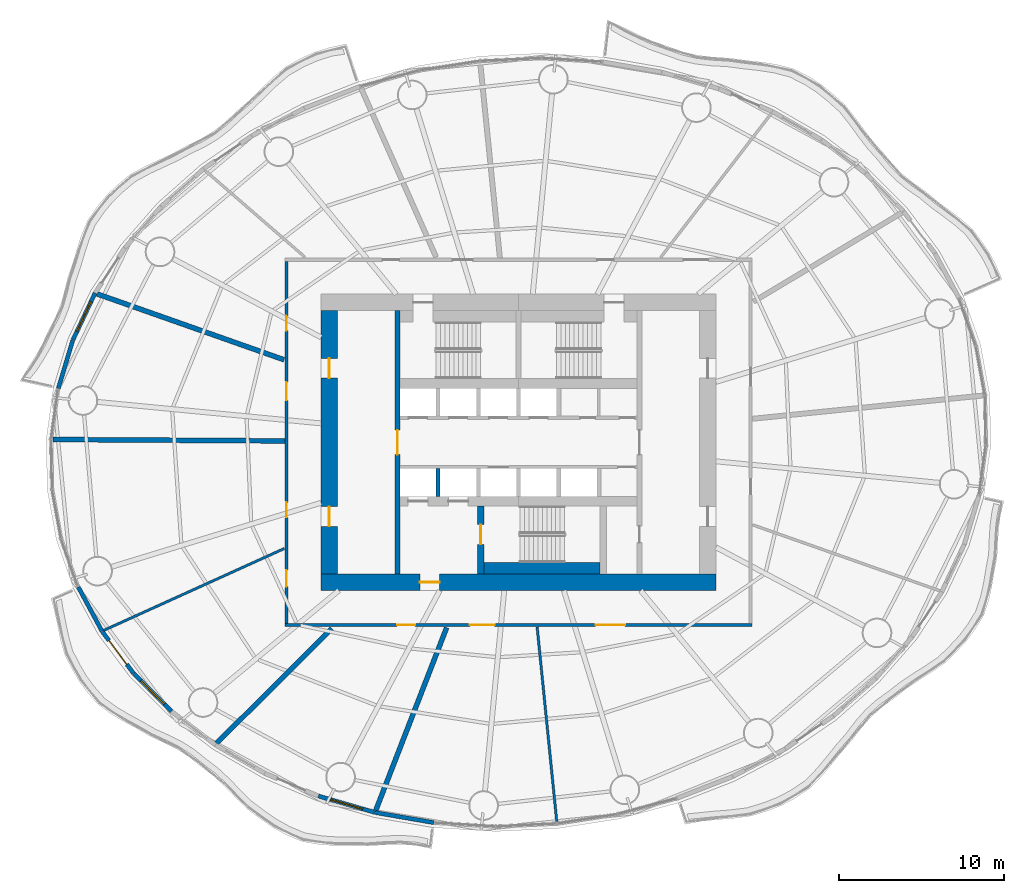
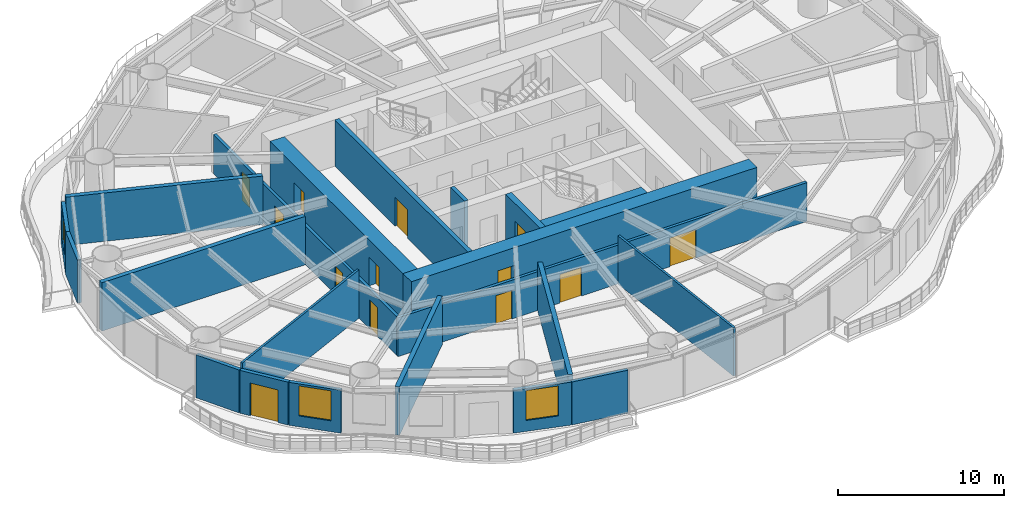
# One storey, part 8 of 16: 21 walls, 13 doors, 3 windows, 16 openings.
"""IFC4 building model written with IfcOpenShell, lengths in metres."""

from ifc_helpers import new_model, si_unit, direction, frame, frame_2d, origin, place, context, subcontext, project, spatial, rectangle, extrude, material, layer, layer_set, type_object, element, fill, save


model = new_model("IFC4")

# Units and contexts
model_context = context("Model", 3, precision=1e-05, world=origin(), true_north=direction((0.0, 1.0)))
body_context = subcontext(model_context, "Body", "Model", "MODEL_VIEW")
ifc_project = project(units=[si_unit("LENGTHUNIT", "METRE"), si_unit("AREAUNIT", "SQUARE_METRE"), si_unit("VOLUMEUNIT", "CUBIC_METRE"), si_unit("PLANEANGLEUNIT", "RADIAN"), si_unit("MASSUNIT", "GRAM", prefix="KILO")], contexts=[model_context])

# Site, building, storey
site_placement = place(None, origin())
site = spatial("IfcSite", under=ifc_project, at=site_placement, CompositionType="ELEMENT")
building_placement = place(site_placement, origin())
building = spatial("IfcBuilding", under=site, at=building_placement, Name="Vermilion Reach Broadcast Tower", CompositionType="ELEMENT")
storey_placement = place(building_placement, frame((0.0, 0.0, 58.199951171875)))
storey = spatial("IfcBuildingStorey", under=building, at=storey_placement, Name="L11", CompositionType="ELEMENT", Elevation=58.199951171875)

# Wall, opening, door
ifc_material_1 = material(Name="Concrete C70", Category="concrete")
ifc_layer_1 = layer(ifc_material_1, 0.300048828125)
ifc_layer_set_1 = layer_set([ifc_layer_1], Name="Core inner wall 300 mm Concrete C70")
wall_type_1 = type_object("IfcWallType", Name="Core inner wall 300 mm Concrete C70", PredefinedType="SHEAR", material=ifc_layer_set_1)
wall_1_placement = place(storey_placement, frame((-13.35009765625, 8.0, 0.0), z_axis=(0.0, 0.0, 1.0), x_axis=(0.0, -1.0, 0.0)))
wall_1 = element("IfcWall", 1, at=wall_1_placement, inside=storey, type_object=wall_type_1, Name="L11 core wall ewW", PredefinedType="SHEAR", context=body_context, shape_type="SweptSolid", body=[
    extrude(rectangle(XDim=16.0, YDim=0.300048828125, at=frame_2d((8.0, 0.0))), origin(), (0.0, 0.0, 1.0), 3.400146484375),
])
opening_1_placement = place(wall_1_placement, frame((7.25, 0.0, 0.0)))
opening_1 = element("IfcOpeningElement", 2, at=opening_1_placement, cuts=wall_1, Name="Opening D04", PredefinedType="OPENING", context=body_context, shape_type="SweptSolid", body=[
    extrude(rectangle(XDim=1.5, YDim=2.10009765625, at=frame_2d((0.75, 1.050048828125))), frame((0.0, 0.159912109375, 0.0), z_axis=(0.0, -1.0, 0.0), x_axis=(1.0, 0.0, 0.0)), (0.0, 0.0, 1.0), 0.320068359375),
])
ifc_material_2 = material(Name="Painted steel fire door", Category="steel")
door_type_1 = type_object("IfcDoorType", Name="Lift lobby door 1500 x 2100", OperationType="DOUBLE_DOOR_SINGLE_SWING", PredefinedType="NOTDEFINED", material=ifc_material_2)
door_1_placement = place(opening_1_placement, origin())
door_1 = element("IfcDoor", 3, at=door_1_placement, inside=storey, type_object=door_type_1, Name="L11 band door BW", OperationType="DOUBLE_DOOR_SINGLE_SWING", OverallHeight=2.10009765625, OverallWidth=1.5, PredefinedType="NOTDEFINED", context=body_context, shape_type="SweptSolid", body=[
    extrude(rectangle(XDim=1.5, YDim=2.10009765625, at=frame_2d((0.75, 1.050048828125))), frame((0.0, 0.02490234375, 0.0), z_axis=(0.0, -1.0, 0.0), x_axis=(1.0, 0.0, 0.0)), (0.0, 0.0, 1.0), 0.050048828125),
])
fill(opening_1, door_1)

ifc_material_3 = material(Name="Concrete C70", Category="concrete")
ifc_layer_2 = layer(ifc_material_3, 0.39990234375)
ifc_layer_set_2 = layer_set([ifc_layer_2], Name="Core inner wall 400 mm Concrete C70")
wall_type_2 = type_object("IfcWallType", Name="Core inner wall 400 mm Concrete C70", PredefinedType="SHEAR", material=ifc_layer_set_2)
wall_2_placement = place(storey_placement, frame((-8.300048828125, -3.8798828125, 0.0), z_axis=(0.0, 0.0, 1.0), x_axis=(0.0, -1.0, 0.0)))
wall_2 = element("IfcWall", 4, at=wall_2_placement, inside=storey, type_object=wall_type_2, Name="L11 core wall wa", PredefinedType="SHEAR", context=body_context, shape_type="SweptSolid", body=[
    extrude(rectangle(XDim=4.1201171875, YDim=0.39990234375, at=frame_2d((2.06005859375, 0.0))), origin(), (0.0, 0.0, 1.0), 3.400146484375),
])
opening_2_placement = place(wall_2_placement, frame((1.110107421875, 0.0, 0.0)))
opening_2 = element("IfcOpeningElement", 5, at=opening_2_placement, cuts=wall_2, Name="Opening D01", PredefinedType="OPENING", context=body_context, shape_type="SweptSolid", body=[
    extrude(rectangle(XDim=1.199951171875, YDim=2.10009765625, at=frame_2d((0.60009765625, 1.050048828125))), frame((0.0, 0.2099609375, 0.0), z_axis=(0.0, -1.0, 0.0), x_axis=(1.0, 0.0, 0.0)), (0.0, 0.0, 1.0), 0.419921875),
])
ifc_material_4 = material(Name="Painted steel fire door", Category="steel")
door_type_2 = type_object("IfcDoorType", Name="Stair door 1200 x 2100", OperationType="DOUBLE_DOOR_SINGLE_SWING", PredefinedType="NOTDEFINED", material=ifc_material_4)
door_2_placement = place(opening_2_placement, origin())
door_2 = element("IfcDoor", 6, at=door_2_placement, inside=storey, type_object=door_type_2, Name="L11 stair door ST3", OperationType="DOUBLE_DOOR_SINGLE_SWING", OverallHeight=2.10009765625, OverallWidth=1.199951171875, PredefinedType="NOTDEFINED", context=body_context, shape_type="SweptSolid", body=[
    extrude(rectangle(XDim=1.199951171875, YDim=2.10009765625, at=frame_2d((0.60009765625, 1.050048828125))), frame((0.0, 0.02490234375, 0.0), z_axis=(0.0, -1.0, 0.0), x_axis=(1.0, 0.0, 0.0)), (0.0, 0.0, 1.0), 0.050048828125),
])
fill(opening_2, door_2)

ifc_material_5 = material(Name="Concrete C70", Category="concrete")
ifc_layer_3 = layer(ifc_material_5, 1.0)
ifc_layer_set_3 = layer_set([ifc_layer_3], Name="Core outer wall 1000 mm Concrete C70")
wall_type_3 = type_object("IfcWallType", Name="Core outer wall 1000 mm Concrete C70", PredefinedType="SHEAR", material=ifc_layer_set_3)
wall_3_placement = place(storey_placement, frame((-18.0, -8.5, 0.0), z_axis=(0.0, 0.0, 1.0), x_axis=(1.0, 0.0, 0.0)))
wall_3 = element("IfcWall", 7, at=wall_3_placement, inside=storey, type_object=wall_type_3, Name="L11 core wall os", PredefinedType="SHEAR", context=body_context, shape_type="SweptSolid", body=[
    extrude(rectangle(XDim=24.0, YDim=1.0, at=frame_2d((12.0, 0.0))), origin(), (0.0, 0.0, 1.0), 3.400146484375),
])
opening_3_placement = place(wall_3_placement, frame((6.0, 0.0, 0.0)))
opening_3 = element("IfcOpeningElement", 8, at=opening_3_placement, cuts=wall_3, Name="Opening D02", PredefinedType="OPENING", context=body_context, shape_type="SweptSolid", body=[
    extrude(rectangle(XDim=1.199951171875, YDim=2.10009765625, at=frame_2d((0.60009765625, 1.050048828125))), frame((0.0, 0.510009765625, 0.0), z_axis=(0.0, -1.0, 0.0), x_axis=(1.0, 0.0, 0.0)), (0.0, 0.0, 1.0), 1.02001953125),
])
ifc_material_6 = material(Name="Painted steel fire door", Category="steel")
door_type_3 = type_object("IfcDoorType", Name="Firefighting lobby door 1200 x 2100", OperationType="DOUBLE_DOOR_SINGLE_SWING", PredefinedType="NOTDEFINED", material=ifc_material_6)
door_3_placement = place(opening_3_placement, origin())
door_3 = element("IfcDoor", 9, at=door_3_placement, inside=storey, type_object=door_type_3, Name="L11 ffdoor door FFL", OperationType="DOUBLE_DOOR_SINGLE_SWING", OverallHeight=2.10009765625, OverallWidth=1.199951171875, PredefinedType="NOTDEFINED", context=body_context, shape_type="SweptSolid", body=[
    extrude(rectangle(XDim=1.199951171875, YDim=2.10009765625, at=frame_2d((0.60009765625, 1.050048828125))), frame((0.0, 0.02490234375, 0.0), z_axis=(0.0, -1.0, 0.0), x_axis=(1.0, 0.0, 0.0)), (0.0, 0.0, 1.0), 0.050048828125),
])
fill(opening_3, door_3)

# Wall, openings, doors
wall_4_placement = place(storey_placement, frame((-17.5, 8.0, 0.0), z_axis=(0.0, 0.0, 1.0), x_axis=(0.0, -1.0, 0.0)))
wall_4 = element("IfcWall", 10, at=wall_4_placement, inside=storey, type_object=wall_type_3, Name="L11 core wall ow", PredefinedType="SHEAR", context=body_context, shape_type="SweptSolid", body=[
    extrude(rectangle(XDim=16.0, YDim=1.0, at=frame_2d((8.0, 0.0))), origin(), (0.0, 0.0, 1.0), 3.400146484375),
])
opening_4_placement = place(wall_4_placement, frame((11.89990234375, 0.0, 0.0)))
opening_4 = element("IfcOpeningElement", 11, at=opening_4_placement, cuts=wall_4, Name="Opening D03", PredefinedType="OPENING", context=body_context, shape_type="SweptSolid", body=[
    extrude(rectangle(XDim=1.199951171875, YDim=2.10009765625, at=frame_2d((0.60009765625, 1.050048828125))), frame((0.0, 0.510009765625, 0.0), z_axis=(0.0, -1.0, 0.0), x_axis=(1.0, 0.0, 0.0)), (0.0, 0.0, 1.0), 1.02001953125),
])
opening_5_placement = place(wall_4_placement, frame((2.89990234375, 0.0, 0.0)))
opening_5 = element("IfcOpeningElement", 12, at=opening_5_placement, cuts=wall_4, Name="Opening D03", PredefinedType="OPENING", context=body_context, shape_type="SweptSolid", body=[
    extrude(rectangle(XDim=1.199951171875, YDim=2.10009765625, at=frame_2d((0.60009765625, 1.050048828125))), frame((0.0, 0.510009765625, 0.0), z_axis=(0.0, -1.0, 0.0), x_axis=(1.0, 0.0, 0.0)), (0.0, 0.0, 1.0), 1.02001953125),
])
ifc_material_7 = material(Name="Painted steel fire door", Category="steel")
door_type_4 = type_object("IfcDoorType", Name="Core lobby door 1200 x 2100", OperationType="DOUBLE_DOOR_SINGLE_SWING", PredefinedType="NOTDEFINED", material=ifc_material_7)
door_4_placement = place(opening_4_placement, origin())
door_4 = element("IfcDoor", 13, at=door_4_placement, inside=storey, type_object=door_type_4, Name="L11 slot door W0", OperationType="DOUBLE_DOOR_SINGLE_SWING", OverallHeight=2.10009765625, OverallWidth=1.199951171875, PredefinedType="NOTDEFINED", context=body_context, shape_type="SweptSolid", body=[
    extrude(rectangle(XDim=1.199951171875, YDim=2.10009765625, at=frame_2d((0.60009765625, 1.050048828125))), frame((0.0, 0.02490234375, 0.0), z_axis=(0.0, -1.0, 0.0), x_axis=(1.0, 0.0, 0.0)), (0.0, 0.0, 1.0), 0.050048828125),
])
fill(opening_4, door_4)
door_5_placement = place(opening_5_placement, origin())
door_5 = element("IfcDoor", 14, at=door_5_placement, inside=storey, type_object=door_type_4, Name="L11 slot door W1", OperationType="DOUBLE_DOOR_SINGLE_SWING", OverallHeight=2.10009765625, OverallWidth=1.199951171875, PredefinedType="NOTDEFINED", context=body_context, shape_type="SweptSolid", body=[
    extrude(rectangle(XDim=1.199951171875, YDim=2.10009765625, at=frame_2d((0.60009765625, 1.050048828125))), frame((0.0, 0.02490234375, 0.0), z_axis=(0.0, -1.0, 0.0), x_axis=(1.0, 0.0, 0.0)), (0.0, 0.0, 1.0), 0.050048828125),
])
fill(opening_5, door_5)

# Walls
ifc_material_8 = material(Name="Concrete C50", Category="concrete")
ifc_layer_4 = layer(ifc_material_8, 0.25)
ifc_layer_set_4 = layer_set([ifc_layer_4], Name="Core shaft wall 250 mm Concrete C50")
wall_type_4 = type_object("IfcWallType", Name="Core shaft wall 250 mm Concrete C50", PredefinedType="SHEAR", material=ifc_layer_set_4)
wall_5_placement = place(storey_placement, frame((-10.88330078125, -1.60009765625, 0.0), z_axis=(0.0, 0.0, 1.0), x_axis=(0.0, -1.0, 0.0)))
element("IfcWall", 15, at=wall_5_placement, inside=storey, type_object=wall_type_4, Name="L11 core wall psS0", PredefinedType="SHEAR", context=body_context, shape_type="SweptSolid", body=[
    extrude(rectangle(XDim=1.679931640625, YDim=0.25, at=frame_2d((0.83984375, 0.0))), origin(), (0.0, 0.0, 1.0), 3.400146484375),
])
ifc_material_9 = material(Name="Concrete C70", Category="concrete")
ifc_layer_5 = layer(ifc_material_9, 0.699951171875)
ifc_layer_set_5 = layer_set([ifc_layer_5], Name="Core stair wall 700 mm Concrete C70")
wall_type_5 = type_object("IfcWallType", Name="Core stair wall 700 mm Concrete C70", PredefinedType="SHEAR", material=ifc_layer_set_5)
wall_6_placement = place(storey_placement, frame((-8.10009765625, -7.64990234375, 0.0), z_axis=(0.0, 0.0, 1.0), x_axis=(1.0, 0.0, 0.0)))
element("IfcWall", 16, at=wall_6_placement, inside=storey, type_object=wall_type_5, Name="L11 core wall l3", PredefinedType="SHEAR", context=body_context, shape_type="SweptSolid", body=[
    extrude(rectangle(XDim=7.050048828125, YDim=0.699951171875, at=frame_2d((3.52490234375, 0.0))), origin(), (0.0, 0.0, 1.0), 3.400146484375),
])
ifc_material_10 = material(Name="Lightweight concrete block, plastered", Category="concrete")
ifc_layer_6 = layer(ifc_material_10, 0.14990234375)
ifc_layer_set_6 = layer_set([ifc_layer_6], Name="Partition 150 lightweight block")
wall_type_6 = type_object("IfcWallType", Name="Partition 150 lightweight block", PredefinedType="PARTITIONING", material=ifc_layer_set_6)
wall_7_placement = place(storey_placement, frame((-31.1904296875, -11.4189453125, 0.0), z_axis=(0.0, 0.0, 1.0), x_axis=(0.91079054679, 0.412868719907, 0.0)))
element("IfcWall", 17, at=wall_7_placement, inside=storey, type_object=wall_type_6, Name="Partition 11.09", PredefinedType="PARTITIONING", context=body_context, shape_type="SweptSolid", body=[
    extrude(rectangle(XDim=12.032958984375, YDim=0.14990234375, at=frame_2d((6.0166015625, 0.0))), origin(), (0.0, 0.0, 1.0), 3.550048828125),
])
wall_8_placement = place(storey_placement, frame((-3.67578125, -23.041015625, 0.0), z_axis=(0.0, 0.0, 1.0), x_axis=(-0.100357287096, 0.994951463603, 0.0)))
element("IfcWall", 18, at=wall_8_placement, inside=storey, type_object=wall_type_6, Name="Partition 11.12", PredefinedType="PARTITIONING", context=body_context, shape_type="SweptSolid", body=[
    extrude(rectangle(XDim=11.8935546875, YDim=0.14990234375, at=frame_2d((5.94677734375, 0.0))), origin(), (0.0, 0.0, 1.0), 3.550048828125),
])
ifc_material_11 = material(Name="Double-leaf plasterboard on isolated steel stud", Category="steel")
ifc_layer_7 = layer(ifc_material_11, 0.300048828125)
ifc_layer_set_7 = layer_set([ifc_layer_7], Name="Partition 300 acoustic double leaf")
wall_type_7 = type_object("IfcWallType", Name="Partition 300 acoustic double leaf", PredefinedType="PARTITIONING", material=ifc_layer_set_7)
wall_9_placement = place(storey_placement, frame((-31.61083984375, 9.02197265625, 0.0), z_axis=(0.0, 0.0, 1.0), x_axis=(0.943188110721, -0.332259217773, 0.0)))
element("IfcWall", 19, at=wall_9_placement, inside=storey, type_object=wall_type_7, Name="Partition 11.07", PredefinedType="PARTITIONING", context=body_context, shape_type="SweptSolid", body=[
    extrude(rectangle(XDim=12.04541015625, YDim=0.300048828125, at=frame_2d((6.022705078125, 0.0))), origin(), (0.0, 0.0, 1.0), 3.550048828125),
])
wall_10_placement = place(storey_placement, frame((-34.273681640625, 0.174072265625, 0.0), z_axis=(0.0, 0.0, 1.0), x_axis=(0.999981035724, -0.006158586928, 0.0)))
element("IfcWall", 20, at=wall_10_placement, inside=storey, type_object=wall_type_7, Name="Partition 11.08", PredefinedType="PARTITIONING", context=body_context, shape_type="SweptSolid", body=[
    extrude(rectangle(XDim=14.072998046875, YDim=0.300048828125, at=frame_2d((7.03662109375, 0.0))), origin(), (0.0, 0.0, 1.0), 3.550048828125),
])
wall_11_placement = place(storey_placement, frame((-24.338623046875, -18.27978515625, 0.0), z_axis=(0.0, 0.0, 1.0), x_axis=(0.708242772836, 0.705968961588, 0.0)))
element("IfcWall", 21, at=wall_11_placement, inside=storey, type_object=wall_type_7, Name="Partition 11.10", PredefinedType="PARTITIONING", context=body_context, shape_type="SweptSolid", body=[
    extrude(rectangle(XDim=9.878173828125, YDim=0.300048828125, at=frame_2d((4.93896484375, 0.0))), origin(), (0.0, 0.0, 1.0), 3.550048828125),
])
wall_12_placement = place(storey_placement, frame((-14.675537109375, -22.368896484375, 0.0), z_axis=(0.0, 0.0, 1.0), x_axis=(0.361600153216, 0.932333271526, 0.0)))
element("IfcWall", 22, at=wall_12_placement, inside=storey, type_object=wall_type_7, Name="Partition 11.11", PredefinedType="PARTITIONING", context=body_context, shape_type="SweptSolid", body=[
    extrude(rectangle(XDim=11.92138671875, YDim=0.300048828125, at=frame_2d((5.960693359375, 0.0))), origin(), (0.0, 0.0, 1.0), 3.550048828125),
])

# Wall, opening, window
ifc_material_12 = material(Name="Terracotta rainscreen cladding", Category="masonry")
ifc_layer_8 = layer(ifc_material_12, 0.25)
ifc_layer_set_8 = layer_set([ifc_layer_8], Name="Terracotta rainscreen wall 250")
wall_type_8 = type_object("IfcWallType", Name="Terracotta rainscreen wall 250", PredefinedType="SOLIDWALL", material=ifc_layer_set_8)
wall_13_placement = place(storey_placement, frame((-31.725341796875, 9.071533203125, 0.0), z_axis=(0.0, 0.0, 1.0), x_axis=(-0.427069496555, -0.904218803781, 0.0)))
wall_13 = element("IfcWall", 23, at=wall_13_placement, inside=storey, type_object=wall_type_8, Name="External wall L11 20", PredefinedType="SOLIDWALL", context=body_context, shape_type="SweptSolid", body=[
    extrude(rectangle(XDim=3.158935546875, YDim=0.25, at=frame_2d((1.57958984375, 0.0))), origin(), (0.0, 0.0, 1.0), 3.150146484375),
])
opening_6_placement = place(wall_13_placement, frame((0.57958984375, 0.0, 0.800048828125)))
opening_6 = element("IfcOpeningElement", 24, at=opening_6_placement, cuts=wall_13, Name="Opening W01", PredefinedType="OPENING", context=body_context, shape_type="SweptSolid", body=[
    extrude(rectangle(XDim=2.0, YDim=2.199951171875, at=frame_2d((1.0, 1.10009765625))), frame((0.0, 0.135009765625, 0.0), z_axis=(0.0, -1.0, 0.0), x_axis=(1.0, 0.0, 0.0)), (0.0, 0.0, 1.0), 0.27001953125),
])
ifc_material_13 = material(Name="Low-e laminated clear glass in aluminium frame", Category="aluminium")
window_type = type_object("IfcWindowType", Name="Punched window 2000 x 2200 sill 800", PartitioningType="SINGLE_PANEL", PredefinedType="WINDOW", material=ifc_material_13)
window_1_placement = place(opening_6_placement, origin())
window_1 = element("IfcWindow", 25, at=window_1_placement, inside=storey, type_object=window_type, Name="Window L11 20", OverallHeight=2.199951171875, OverallWidth=2.0, PartitioningType="SINGLE_PANEL", PredefinedType="WINDOW", context=body_context, shape_type="SweptSolid", body=[
    extrude(rectangle(XDim=2.0, YDim=2.199951171875, at=frame_2d((1.0, 1.10009765625))), frame((0.0, 0.030029296875, 0.0), z_axis=(0.0, -1.0, 0.0), x_axis=(1.0, 0.0, 0.0)), (0.0, 0.0, 1.0), 0.06005859375),
])
fill(opening_6, window_1)

# Walls
wall_14_placement = place(storey_placement, frame((-33.083984375, 6.190185546875, 0.0), z_axis=(0.0, 0.0, 1.0), x_axis=(-0.28804594388, -0.957616590403, 0.0)))
element("IfcWall", 26, at=wall_14_placement, inside=storey, type_object=wall_type_8, Name="External wall L11 21", PredefinedType="SOLIDWALL", context=body_context, shape_type="SweptSolid", body=[
    extrude(rectangle(XDim=3.0478515625, YDim=0.25, at=frame_2d((1.52392578125, 0.0))), origin(), (0.0, 0.0, 1.0), 3.150146484375),
])
wall_15_placement = place(storey_placement, frame((-32.745361328125, -8.789794921875, 0.0), z_axis=(0.0, 0.0, 1.0), x_axis=(0.473545649415, -0.880769276213, 0.0)))
element("IfcWall", 27, at=wall_15_placement, inside=storey, type_object=wall_type_8, Name="External wall L11 26", PredefinedType="SOLIDWALL", context=body_context, shape_type="SweptSolid", body=[
    extrude(rectangle(XDim=3.048095703125, YDim=0.25, at=frame_2d((1.52392578125, 0.0))), origin(), (0.0, 0.0, 1.0), 3.150146484375),
])

# Wall, opening, door
wall_16_placement = place(storey_placement, frame((-31.287841796875, -11.496826171875, 0.0), z_axis=(0.0, 0.0, 1.0), x_axis=(0.59907224047, -0.800694979813, 0.0)))
wall_16 = element("IfcWall", 28, at=wall_16_placement, inside=storey, type_object=wall_type_8, Name="External wall L11 27", PredefinedType="SOLIDWALL", context=body_context, shape_type="SweptSolid", body=[
    extrude(rectangle(XDim=3.1591796875, YDim=0.25, at=frame_2d((1.57958984375, 0.0))), origin(), (0.0, 0.0, 1.0), 3.150146484375),
])
opening_7_placement = place(wall_16_placement, frame((0.679931640625, 0.0, 0.0)))
opening_7 = element("IfcOpeningElement", 29, at=opening_7_placement, cuts=wall_16, Name="Opening D70", PredefinedType="OPENING", context=body_context, shape_type="SweptSolid", body=[
    extrude(rectangle(XDim=1.800048828125, YDim=2.39990234375, at=frame_2d((0.89990234375, 1.199951171875))), frame((0.0, 0.135009765625, 0.0), z_axis=(0.0, -1.0, 0.0), x_axis=(1.0, 0.0, 0.0)), (0.0, 0.0, 1.0), 0.27001953125),
])
ifc_material_14 = material(Name="Low-e laminated clear glass in aluminium frame", Category="aluminium")
door_type_5 = type_object("IfcDoorType", Name="Balcony sliding door 1800 x 2400", OperationType="DOUBLE_DOOR_SLIDING", PredefinedType="DOOR", material=ifc_material_14)
door_6_placement = place(opening_7_placement, origin())
door_6 = element("IfcDoor", 30, at=door_6_placement, inside=storey, type_object=door_type_5, Name="Balcony door L11 run 07", OperationType="DOUBLE_DOOR_SLIDING", OverallHeight=2.39990234375, OverallWidth=1.800048828125, PredefinedType="DOOR", context=body_context, shape_type="SweptSolid", body=[
    extrude(rectangle(XDim=1.800048828125, YDim=2.39990234375, at=frame_2d((0.89990234375, 1.199951171875))), frame((0.0, 0.02490234375, 0.0), z_axis=(0.0, -1.0, 0.0), x_axis=(1.0, 0.0, 0.0)), (0.0, 0.0, 1.0), 0.050048828125),
])
fill(opening_7, door_6)

# Wall, opening, window
wall_17_placement = place(storey_placement, frame((-29.37841796875, -14.0458984375, 0.0), z_axis=(0.0, 0.0, 1.0), x_axis=(0.706541864319, -0.707671247095, 0.0)))
wall_17 = element("IfcWall", 31, at=wall_17_placement, inside=storey, type_object=wall_type_8, Name="External wall L11 28", PredefinedType="SOLIDWALL", context=body_context, shape_type="SweptSolid", body=[
    extrude(rectangle(XDim=3.24267578125, YDim=0.25, at=frame_2d((1.621337890625, 0.0))), origin(), (0.0, 0.0, 1.0), 3.150146484375),
])
opening_8_placement = place(wall_17_placement, frame((0.621337890625, 0.0, 0.800048828125)))
opening_8 = element("IfcOpeningElement", 32, at=opening_8_placement, cuts=wall_17, Name="Opening W01", PredefinedType="OPENING", context=body_context, shape_type="SweptSolid", body=[
    extrude(rectangle(XDim=2.0, YDim=2.199951171875, at=frame_2d((1.0, 1.10009765625))), frame((0.0, 0.135009765625, 0.0), z_axis=(0.0, -1.0, 0.0), x_axis=(1.0, 0.0, 0.0)), (0.0, 0.0, 1.0), 0.27001953125),
])
window_2_placement = place(opening_8_placement, origin())
window_2 = element("IfcWindow", 33, at=window_2_placement, inside=storey, type_object=window_type, Name="Window L11 28", OverallHeight=2.199951171875, OverallWidth=2.0, PartitioningType="SINGLE_PANEL", PredefinedType="WINDOW", context=body_context, shape_type="SweptSolid", body=[
    extrude(rectangle(XDim=2.0, YDim=2.199951171875, at=frame_2d((1.0, 1.10009765625))), frame((0.0, 0.030029296875, 0.0), z_axis=(0.0, -1.0, 0.0), x_axis=(1.0, 0.0, 0.0)), (0.0, 0.0, 1.0), 0.06005859375),
])
fill(opening_8, window_2)

wall_18_placement = place(storey_placement, frame((-18.156005859375, -21.48486328125, 0.0), z_axis=(0.0, 0.0, 1.0), x_axis=(0.960066333869, -0.279772469287, 0.0)))
wall_18 = element("IfcWall", 34, at=wall_18_placement, inside=storey, type_object=wall_type_8, Name="External wall L11 32", PredefinedType="SOLIDWALL", context=body_context, shape_type="SweptSolid", body=[
    extrude(rectangle(XDim=3.584716796875, YDim=0.25, at=frame_2d((1.79248046875, 0.0))), origin(), (0.0, 0.0, 1.0), 3.150146484375),
])
opening_9_placement = place(wall_18_placement, frame((0.79248046875, 0.0, 0.800048828125)))
opening_9 = element("IfcOpeningElement", 35, at=opening_9_placement, cuts=wall_18, Name="Opening W01", PredefinedType="OPENING", context=body_context, shape_type="SweptSolid", body=[
    extrude(rectangle(XDim=2.0, YDim=2.199951171875, at=frame_2d((1.0, 1.10009765625))), frame((0.0, 0.135009765625, 0.0), z_axis=(0.0, -1.0, 0.0), x_axis=(1.0, 0.0, 0.0)), (0.0, 0.0, 1.0), 0.27001953125),
])
window_3_placement = place(opening_9_placement, origin())
window_3 = element("IfcWindow", 36, at=window_3_placement, inside=storey, type_object=window_type, Name="Window L11 32", OverallHeight=2.199951171875, OverallWidth=2.0, PartitioningType="SINGLE_PANEL", PredefinedType="WINDOW", context=body_context, shape_type="SweptSolid", body=[
    extrude(rectangle(XDim=2.0, YDim=2.199951171875, at=frame_2d((1.0, 1.10009765625))), frame((0.0, 0.030029296875, 0.0), z_axis=(0.0, -1.0, 0.0), x_axis=(1.0, 0.0, 0.0)), (0.0, 0.0, 1.0), 0.06005859375),
])
fill(opening_9, window_3)

# Wall
wall_19_placement = place(storey_placement, frame((-14.692626953125, -22.49267578125, 0.0), z_axis=(0.0, 0.0, 1.0), x_axis=(0.985456592012, -0.169927352892, 0.0)))
element("IfcWall", 37, at=wall_19_placement, inside=storey, type_object=wall_type_8, Name="External wall L11 33", PredefinedType="SOLIDWALL", context=body_context, shape_type="SweptSolid", body=[
    extrude(rectangle(XDim=3.600341796875, YDim=0.25, at=frame_2d((1.80029296875, 0.0))), origin(), (0.0, 0.0, 1.0), 3.150146484375),
])

# Wall, openings, doors
ifc_material_15 = material(Name="Fire-rated gypsum board partition")
ifc_layer_9 = layer(ifc_material_15, 0.199951171875)
ifc_layer_set_9 = layer_set([ifc_layer_9], Name="Under girder: Corridor wall 200 fire-rated")
wall_type_9 = type_object("IfcWallType", Name="Under girder: Corridor wall 200 fire-rated", PredefinedType="PARTITIONING", material=ifc_layer_set_9)
wall_20_placement = place(storey_placement, frame((8.199951171875, -11.10009765625, 0.0), z_axis=(0.0, 0.0, 1.0), x_axis=(-1.0, 0.0, 0.0)))
wall_20 = element("IfcWall", 38, at=wall_20_placement, inside=storey, type_object=wall_type_9, Name="Corridor wall 11.S", PredefinedType="PARTITIONING", context=body_context, shape_type="SweptSolid", body=[
    extrude(rectangle(XDim=28.39990234375, YDim=0.199951171875, at=frame_2d((14.199951171875, 0.0))), origin(), (0.0, 0.0, 1.0), 2.85009765625),
])
opening_10_placement = place(wall_20_placement, frame((20.4814453125, 0.0, 0.0)))
opening_10 = element("IfcOpeningElement", 39, at=opening_10_placement, cuts=wall_20, Name="Opening D28", PredefinedType="OPENING", context=body_context, shape_type="SweptSolid", body=[
    extrude(rectangle(XDim=1.10009765625, YDim=2.10009765625, at=frame_2d((0.550048828125, 1.050048828125))), frame((0.0, 0.10986328125, 0.0), z_axis=(0.0, -1.0, 0.0), x_axis=(1.0, 0.0, 0.0)), (0.0, 0.0, 1.0), 0.219970703125),
])
opening_11_placement = place(wall_20_placement, frame((15.651611328125, 0.0, 0.0)))
opening_11 = element("IfcOpeningElement", 40, at=opening_11_placement, cuts=wall_20, Name="Opening D24", PredefinedType="OPENING", context=body_context, shape_type="SweptSolid", body=[
    extrude(rectangle(XDim=1.5, YDim=2.10009765625, at=frame_2d((0.75, 1.050048828125))), frame((0.0, 0.10986328125, 0.0), z_axis=(0.0, -1.0, 0.0), x_axis=(1.0, 0.0, 0.0)), (0.0, 0.0, 1.0), 0.219970703125),
])
opening_12_placement = place(wall_20_placement, frame((7.71923828125, 0.0, 0.0)))
opening_12 = element("IfcOpeningElement", 41, at=opening_12_placement, cuts=wall_20, Name="Opening D21", PredefinedType="OPENING", context=body_context, shape_type="SweptSolid", body=[
    extrude(rectangle(XDim=1.800048828125, YDim=2.10009765625, at=frame_2d((0.89990234375, 1.050048828125))), frame((0.0, 0.10986328125, 0.0), z_axis=(0.0, -1.0, 0.0), x_axis=(1.0, 0.0, 0.0)), (0.0, 0.0, 1.0), 0.219970703125),
])
ifc_material_16 = material(Name="Timber door leaf", Category="wood")
door_type_6 = type_object("IfcDoorType", Name="Door pair 1500x2100", OperationType="NOTDEFINED", PredefinedType="DOOR", material=ifc_material_16)
door_7_placement = place(opening_11_placement, origin())
door_7 = element("IfcDoor", 42, at=door_7_placement, inside=storey, type_object=door_type_6, Name="Door 11.11", OperationType="DOUBLE_DOOR_SINGLE_SWING", OverallHeight=2.10009765625, OverallWidth=1.5, PredefinedType="DOOR", context=body_context, shape_type="SweptSolid", body=[
    extrude(rectangle(XDim=1.5, YDim=2.10009765625, at=frame_2d((0.75, 1.050048828125))), frame((0.0, 0.02490234375, 0.0), z_axis=(0.0, -1.0, 0.0), x_axis=(1.0, 0.0, 0.0)), (0.0, 0.0, 1.0), 0.050048828125),
])
fill(opening_11, door_7)
ifc_material_17 = material(Name="Timber door leaf", Category="wood")
door_type_7 = type_object("IfcDoorType", Name="Door pair 1800x2100", OperationType="NOTDEFINED", PredefinedType="DOOR", material=ifc_material_17)
door_8_placement = place(opening_12_placement, origin())
door_8 = element("IfcDoor", 43, at=door_8_placement, inside=storey, type_object=door_type_7, Name="Door 11.12", OperationType="DOUBLE_DOOR_SINGLE_SWING", OverallHeight=2.10009765625, OverallWidth=1.800048828125, PredefinedType="DOOR", context=body_context, shape_type="SweptSolid", body=[
    extrude(rectangle(XDim=1.800048828125, YDim=2.10009765625, at=frame_2d((0.89990234375, 1.050048828125))), frame((0.0, 0.02490234375, 0.0), z_axis=(0.0, -1.0, 0.0), x_axis=(1.0, 0.0, 0.0)), (0.0, 0.0, 1.0), 0.050048828125),
])
fill(opening_12, door_8)
ifc_material_18 = material(Name="Acoustic sound-lock door leaf")
door_type_8 = type_object("IfcDoorType", Name="Door single 1100x2100", OperationType="NOTDEFINED", PredefinedType="DOOR", material=ifc_material_18)
door_9_placement = place(opening_10_placement, origin())
door_9 = element("IfcDoor", 44, at=door_9_placement, inside=storey, type_object=door_type_8, Name="Door 11.10", OperationType="SINGLE_SWING_LEFT", OverallHeight=2.10009765625, OverallWidth=1.10009765625, PredefinedType="DOOR", context=body_context, shape_type="SweptSolid", body=[
    extrude(rectangle(XDim=1.10009765625, YDim=2.10009765625, at=frame_2d((0.550048828125, 1.050048828125))), frame((0.0, 0.02490234375, 0.0), z_axis=(0.0, -1.0, 0.0), x_axis=(1.0, 0.0, 0.0)), (0.0, 0.0, 1.0), 0.050048828125),
])
fill(opening_10, door_9)

wall_21_placement = place(storey_placement, frame((-20.10009765625, -11.0, 0.0), z_axis=(0.0, 0.0, 1.0), x_axis=(0.0, 1.0, 0.0)))
wall_21 = element("IfcWall", 45, at=wall_21_placement, inside=storey, type_object=wall_type_9, Name="Corridor wall 11.W", PredefinedType="PARTITIONING", context=body_context, shape_type="SweptSolid", body=[
    extrude(rectangle(XDim=22.0, YDim=0.199951171875, at=frame_2d((11.0, 0.0))), origin(), (0.0, 0.0, 1.0), 2.85009765625),
])
opening_13_placement = place(wall_21_placement, frame((17.79150390625, 0.0, 0.0)))
opening_13 = element("IfcOpeningElement", 46, at=opening_13_placement, cuts=wall_21, Name="Opening D22", PredefinedType="OPENING", context=body_context, shape_type="SweptSolid", body=[
    extrude(rectangle(XDim=0.89990234375, YDim=2.10009765625, at=frame_2d((0.449951171875, 1.050048828125))), frame((0.0, 0.10986328125, 0.0), z_axis=(0.0, -1.0, 0.0), x_axis=(1.0, 0.0, 0.0)), (0.0, 0.0, 1.0), 0.219970703125),
])
opening_14_placement = place(wall_21_placement, frame((13.557861328125, 0.0, 0.0)))
opening_14 = element("IfcOpeningElement", 47, at=opening_14_placement, cuts=wall_21, Name="Opening D28", PredefinedType="OPENING", context=body_context, shape_type="SweptSolid", body=[
    extrude(rectangle(XDim=1.10009765625, YDim=2.10009765625, at=frame_2d((0.550048828125, 1.050048828125))), frame((0.0, 0.10986328125, 0.0), z_axis=(0.0, -1.0, 0.0), x_axis=(1.0, 0.0, 0.0)), (0.0, 0.0, 1.0), 0.219970703125),
])
opening_15_placement = place(wall_21_placement, frame((6.450439453125, 0.0, 0.0)))
opening_15 = element("IfcOpeningElement", 48, at=opening_15_placement, cuts=wall_21, Name="Opening D22", PredefinedType="OPENING", context=body_context, shape_type="SweptSolid", body=[
    extrude(rectangle(XDim=0.89990234375, YDim=2.10009765625, at=frame_2d((0.449951171875, 1.050048828125))), frame((0.0, 0.10986328125, 0.0), z_axis=(0.0, -1.0, 0.0), x_axis=(1.0, 0.0, 0.0)), (0.0, 0.0, 1.0), 0.219970703125),
])
opening_16_placement = place(wall_21_placement, frame((2.234130859375, 0.0, 0.0)))
opening_16 = element("IfcOpeningElement", 49, at=opening_16_placement, cuts=wall_21, Name="Opening D20", PredefinedType="OPENING", context=body_context, shape_type="SweptSolid", body=[
    extrude(rectangle(XDim=1.0, YDim=2.10009765625, at=frame_2d((0.5, 1.050048828125))), frame((0.0, 0.10986328125, 0.0), z_axis=(0.0, -1.0, 0.0), x_axis=(1.0, 0.0, 0.0)), (0.0, 0.0, 1.0), 0.219970703125),
])
ifc_material_19 = material(Name="Timber door leaf", Category="wood")
door_type_9 = type_object("IfcDoorType", Name="Door single 1000x2100", OperationType="NOTDEFINED", PredefinedType="DOOR", material=ifc_material_19)
door_10_placement = place(opening_16_placement, origin())
door_10 = element("IfcDoor", 50, at=door_10_placement, inside=storey, type_object=door_type_9, Name="Door 11.09", OperationType="SINGLE_SWING_RIGHT", OverallHeight=2.10009765625, OverallWidth=1.0, PredefinedType="DOOR", context=body_context, shape_type="SweptSolid", body=[
    extrude(rectangle(XDim=1.0, YDim=2.10009765625, at=frame_2d((0.5, 1.050048828125))), frame((0.0, 0.02490234375, 0.0), z_axis=(0.0, -1.0, 0.0), x_axis=(1.0, 0.0, 0.0)), (0.0, 0.0, 1.0), 0.050048828125),
])
fill(opening_16, door_10)
door_11_placement = place(opening_14_placement, origin())
door_11 = element("IfcDoor", 51, at=door_11_placement, inside=storey, type_object=door_type_8, Name="Door 11.07", OperationType="SINGLE_SWING_RIGHT", OverallHeight=2.10009765625, OverallWidth=1.10009765625, PredefinedType="DOOR", context=body_context, shape_type="SweptSolid", body=[
    extrude(rectangle(XDim=1.10009765625, YDim=2.10009765625, at=frame_2d((0.550048828125, 1.050048828125))), frame((0.0, 0.02490234375, 0.0), z_axis=(0.0, -1.0, 0.0), x_axis=(1.0, 0.0, 0.0)), (0.0, 0.0, 1.0), 0.050048828125),
])
fill(opening_14, door_11)
ifc_material_20 = material(Name="Timber door leaf", Category="wood")
door_type_10 = type_object("IfcDoorType", Name="Door single 900x2100", OperationType="NOTDEFINED", PredefinedType="DOOR", material=ifc_material_20)
door_12_placement = place(opening_13_placement, origin())
door_12 = element("IfcDoor", 52, at=door_12_placement, inside=storey, type_object=door_type_10, Name="Door 11.06", OperationType="SINGLE_SWING_LEFT", OverallHeight=2.10009765625, OverallWidth=0.89990234375, PredefinedType="DOOR", context=body_context, shape_type="SweptSolid", body=[
    extrude(rectangle(XDim=0.89990234375, YDim=2.10009765625, at=frame_2d((0.449951171875, 1.050048828125))), frame((0.0, 0.02490234375, 0.0), z_axis=(0.0, -1.0, 0.0), x_axis=(1.0, 0.0, 0.0)), (0.0, 0.0, 1.0), 0.050048828125),
])
fill(opening_13, door_12)
door_13_placement = place(opening_15_placement, origin())
door_13 = element("IfcDoor", 53, at=door_13_placement, inside=storey, type_object=door_type_10, Name="Door 11.08", OperationType="SINGLE_SWING_LEFT", OverallHeight=2.10009765625, OverallWidth=0.89990234375, PredefinedType="DOOR", context=body_context, shape_type="SweptSolid", body=[
    extrude(rectangle(XDim=0.89990234375, YDim=2.10009765625, at=frame_2d((0.449951171875, 1.050048828125))), frame((0.0, 0.02490234375, 0.0), z_axis=(0.0, -1.0, 0.0), x_axis=(1.0, 0.0, 0.0)), (0.0, 0.0, 1.0), 0.050048828125),
])
fill(opening_15, door_13)

save(model, "model.ifc")
